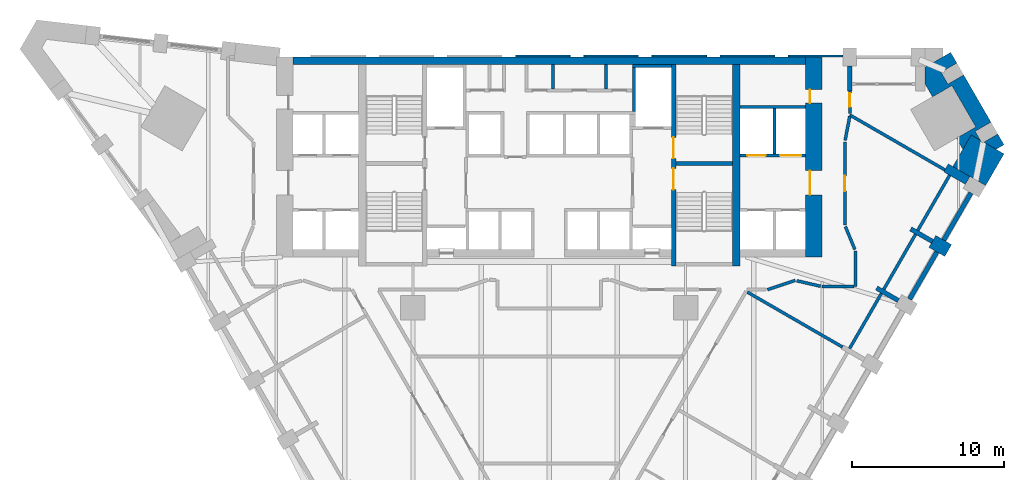
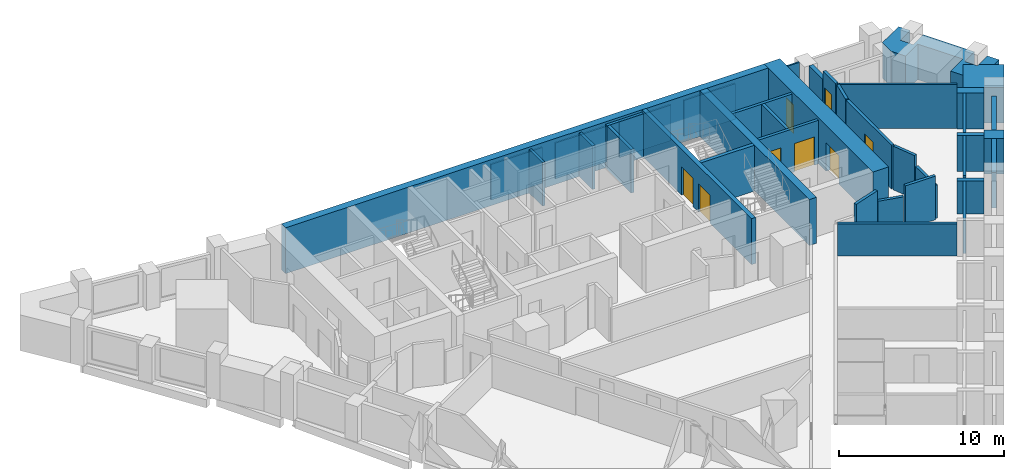
# One storey, part 8 of 10: 40 walls, 8 doors, 8 openings.
"""IFC4 building model written with IfcOpenShell, lengths in metres."""

from ifc_helpers import new_model, si_unit, direction, frame, frame_2d, origin, place, context, subcontext, project, spatial, polyline, rectangle, outline, extrude, material, layer, layer_set, type_object, element, fill, save


model = new_model("IFC4")

# Units and contexts
model_context = context("Model", 3, precision=1e-05, world=origin(), true_north=direction((0.0, 1.0)))
body_context = subcontext(model_context, "Body", "Model", "MODEL_VIEW")
ifc_project = project(units=[si_unit("LENGTHUNIT", "METRE"), si_unit("AREAUNIT", "SQUARE_METRE"), si_unit("VOLUMEUNIT", "CUBIC_METRE"), si_unit("PLANEANGLEUNIT", "RADIAN"), si_unit("MASSUNIT", "GRAM", prefix="KILO")], contexts=[model_context])

# Site, building, storey
site_placement = place(None, origin())
site = spatial("IfcSite", under=ifc_project, at=site_placement, CompositionType="ELEMENT")
building_placement = place(site_placement, origin())
building = spatial("IfcBuilding", under=site, at=building_placement, Name="Calabash Gate Tower", CompositionType="ELEMENT")
storey_placement = place(building_placement, frame((0.0, 0.0, 69.800048828125)))
storey = spatial("IfcBuildingStorey", under=building, at=storey_placement, Name="L13", CompositionType="ELEMENT", Elevation=69.800048828125)

# Walls
ifc_material_1 = material(Name="Terracotta brick masonry, exposed face", Category="masonry")
ifc_layer_1 = layer(ifc_material_1, 2.5)
ifc_layer_set_1 = layer_set([ifc_layer_1], Name="Brick corner mass wall 2500")
wall_type_1 = type_object("IfcWallType", Name="Brick corner mass wall 2500", PredefinedType="SOLIDWALL", material=ifc_layer_set_1)
wall_1_placement = place(storey_placement, origin())
element("IfcWall", 1, at=wall_1_placement, inside=storey, type_object=wall_type_1, Name="Brick corner pier S03 3a", PredefinedType="SOLIDWALL", context=body_context, shape_type="SweptSolid", body=[
    extrude(outline(polyline([(30.000732421875, 12.657958984375), (28.662353515625, 13.4306640625), (28.552490234375, 13.3671875), (28.442626953125, 13.5576171875), (27.835693359375, 13.907958984375), (26.6279296875, 11.815673828125), (28.79296875, 10.565673828125), (30.000732421875, 12.657958984375)])), origin(), (0.0, 0.0, 1.0), 2.6298828125),
])
wall_2_placement = place(storey_placement, origin())
element("IfcWall", 2, at=wall_2_placement, inside=storey, type_object=wall_type_1, Name="Brick corner pier S03 3ba", PredefinedType="SOLIDWALL", context=body_context, shape_type="SweptSolid", body=[
    extrude(outline(polyline([(29.481201171875, 12.957763671875), (30.000732421875, 13.2578125), (29.59130859375, 13.967041015625), (28.662353515625, 13.4306640625), (29.481201171875, 12.957763671875)])), origin(), (0.0, 0.0, 1.0), 2.6298828125),
])
wall_3_placement = place(storey_placement, origin())
element("IfcWall", 3, at=wall_3_placement, inside=storey, type_object=wall_type_1, Name="Brick corner pier S03 3bb", PredefinedType="SOLIDWALL", context=body_context, shape_type="SweptSolid", body=[
    extrude(outline(polyline([(25.852294921875, 18.043701171875), (26.891357421875, 18.6435546875), (26.482177734375, 19.3525390625), (24.77783203125, 18.36865234375), (24.77783203125, 17.30419921875), (25.2890625, 16.419189453125), (26.564453125, 17.155517578125), (28.139404296875, 14.427490234375), (26.864013671875, 13.691162109375), (27.287353515625, 12.957763671875), (27.835693359375, 13.907958984375), (28.442626953125, 13.5576171875), (28.102294921875, 14.146728515625), (29.141357421875, 14.74658203125), (27.34130859375, 17.8642578125), (26.302490234375, 17.264404296875), (25.852294921875, 18.043701171875)])), origin(), (0.0, 0.0, 1.0), 2.6298828125),
])
ifc_material_2 = material(Name="Terracotta brick masonry, exposed face", Category="masonry")
ifc_layer_2 = layer(ifc_material_2, 1.199951171875)
ifc_layer_set_2 = layer_set([ifc_layer_2], Name="Brick end wall 1200")
wall_type_2 = type_object("IfcWallType", Name="Brick end wall 1200", PredefinedType="SOLIDWALL", material=ifc_layer_set_2)
wall_4_placement = place(storey_placement, frame((25.27880859375, 6.87890625, 0.0), z_axis=(0.0, 0.0, 1.0), x_axis=(0.865955154139, -0.50012165622, 0.0)))
element("IfcWall", 4, at=wall_4_placement, inside=storey, type_object=wall_type_2, Name="Brick pier S03 SE2.9", PredefinedType="SOLIDWALL", context=body_context, shape_type="SweptSolid", body=[
    extrude(rectangle(XDim=1.199951171875, YDim=0.89990234375, at=frame_2d((0.60009765625, 0.0))), origin(), (0.0, 0.0, 1.0), 2.6298828125),
])
ifc_material_3 = material(Name="Terracotta brick masonry, exposed face", Category="masonry")
ifc_layer_3 = layer(ifc_material_3, 0.300048828125)
ifc_layer_set_3 = layer_set([ifc_layer_3], Name="Brick infill panel wall 300")
wall_type_3 = type_object("IfcWallType", Name="Brick infill panel wall 300", PredefinedType="SOLIDWALL", material=ifc_layer_set_3)
for number, where, z_axis, x_axis, name in (
    (5, (23.7734375, 3.071533203125, 0.0), (0.0, 0.0, 1.0), (0.499961193289, 0.866047807691, 0.0), "Brick panel S03 SE2.9"),
    (6, (26.0234375, 6.968505859375, 0.0), (0.0, 0.0, 1.0), (0.499961193289, 0.866047807691, 0.0), "Brick panel S03 SE2.10"),
):
    element("IfcWall", number, at=place(storey_placement, frame(where, z_axis=z_axis, x_axis=x_axis)), inside=storey, type_object=wall_type_3, Name=name, PredefinedType="SOLIDWALL", context=body_context, shape_type="SweptSolid", body=[
        extrude(rectangle(XDim=3.599853515625, YDim=0.300048828125, at=frame_2d((1.7998046875, 0.0))), origin(), (0.0, 0.0, 1.0), 2.6298828125),
    ])
ifc_material_4 = material(Name="Terracotta brick masonry, exposed face", Category="masonry")
ifc_layer_4 = layer(ifc_material_4, 0.300048828125)
ifc_layer_set_4 = layer_set([ifc_layer_4], Name="Brick loggia cheek wall 300")
wall_type_4 = type_object("IfcWallType", Name="Brick loggia cheek wall 300", PredefinedType="SOLIDWALL", material=ifc_layer_set_4)
wall_5_placement = place(storey_placement, frame((21.599853515625, 3.806884765625, 0.0), z_axis=(0.0, 0.0, 1.0), x_axis=(0.865966208357, -0.500102515474, 0.0)))
element("IfcWall", 7, at=wall_5_placement, inside=storey, type_object=wall_type_4, Name="Loggia cheek S03 SE2.8", PredefinedType="SOLIDWALL", context=body_context, shape_type="SweptSolid", body=[
    extrude(rectangle(XDim=1.649658203125, YDim=0.300048828125, at=frame_2d((0.82470703125, 0.0))), origin(), (0.0, 0.0, 1.0), 2.449951171875),
])
wall_6_placement = place(storey_placement, frame((23.849853515625, 7.703857421875, 0.0), z_axis=(0.0, 0.0, 1.0), x_axis=(0.866040211805, -0.499974350878, 0.0)))
element("IfcWall", 8, at=wall_6_placement, inside=storey, type_object=wall_type_4, Name="Loggia cheek S03 SE2.9", PredefinedType="SOLIDWALL", context=body_context, shape_type="SweptSolid", body=[
    extrude(rectangle(XDim=1.64990234375, YDim=0.300048828125, at=frame_2d((0.824951171875, 0.0))), origin(), (0.0, 0.0, 1.0), 2.64990234375),
])
wall_7_placement = place(storey_placement, frame((27.603759765625, 10.906005859375, 0.0), z_axis=(0.0, 0.0, 1.0), x_axis=(-0.866040211805, 0.499974350878, 0.0)))
element("IfcWall", 9, at=wall_7_placement, inside=storey, type_object=wall_type_4, Name="Loggia cheek S03 SE2.10", PredefinedType="SOLIDWALL", context=body_context, shape_type="SweptSolid", body=[
    extrude(rectangle(XDim=1.64990234375, YDim=0.60009765625, at=frame_2d((0.824951171875, 0.0))), origin(), (0.0, 0.0, 1.0), 2.64990234375),
])
wall_8_placement = place(storey_placement, origin())
element("IfcWall", 10, at=wall_8_placement, inside=storey, type_object=wall_type_4, Name="Loggia cheek S03 N4.1", PredefinedType="SOLIDWALL", context=body_context, shape_type="SweptSolid", body=[
    extrude(outline(polyline([(19.677978515625, 18.45263671875), (19.677978515625, 16.802490234375), (19.977783203125, 16.802490234375), (19.977783203125, 18.45263671875), (19.677978515625, 18.45263671875)])), origin(), (0.0, 0.0, 1.0), 2.64990234375),
])
ifc_material_5 = material(Name="Gypsum board on steel studs, mineral wool", Category="steel")
ifc_layer_5 = layer(ifc_material_5, 0.199951171875)
ifc_layer_set_5 = layer_set([ifc_layer_5], Name="Core partition 200 gypsum board")
wall_type_5 = type_object("IfcWallType", Name="Core partition 200 gypsum board", PredefinedType="PARTITIONING", material=ifc_layer_set_5)
for number, where, z_axis, x_axis, name in (
    (11, (0.25, 16.95263671875, 0.0), (0.0, 0.0, 1.0), (0.0, 1.0, 0.0), "Core partition"),
    (12, (3.75, 16.95263671875, 0.0), (0.0, 0.0, 1.0), (0.0, 1.0, 0.0), "Core partition"),
):
    element("IfcWall", number, at=place(storey_placement, frame(where, z_axis=z_axis, x_axis=x_axis)), inside=storey, type_object=wall_type_5, Name=name, PredefinedType="PARTITIONING", context=body_context, shape_type="SweptSolid", body=[
        extrude(rectangle(XDim=1.599853515625, YDim=0.199951171875, at=frame_2d((0.7998046875, 0.0))), origin(), (0.0, 0.0, 1.0), 3.22998046875),
    ])

# Wall, openings, doors
ifc_material_6 = material(Name="Concrete C80/95", Category="concrete")
ifc_layer_6 = layer(ifc_material_6, 1.10009765625)
ifc_layer_set_6 = layer_set([ifc_layer_6], Name="Core wall 1100 Concrete C80/95")
wall_type_6 = type_object("IfcWallType", Name="Core wall 1100 Concrete C80/95", PredefinedType="SHEAR", material=ifc_layer_set_6)
wall_9_placement = place(storey_placement, frame((17.449951171875, 5.8525390625, 0.0), z_axis=(0.0, 0.0, 1.0), x_axis=(0.0, 1.0, 0.0)))
wall_9 = element("IfcWall", 13, at=wall_9_placement, inside=storey, type_object=wall_type_6, Name="Core wall Z1-ENDE L13", PredefinedType="SHEAR", context=body_context, shape_type="SweptSolid", body=[
    extrude(rectangle(XDim=13.199951171875, YDim=1.10009765625, at=frame_2d((6.60009765625, 0.0))), origin(), (0.0, 0.0, 1.0), 3.39990234375),
])
opening_1_placement = place(wall_9_placement, frame((4.10009765625, 0.0, 0.0)))
opening_1 = element("IfcOpeningElement", 14, at=opening_1_placement, cuts=wall_9, Name="Opening H3-002", PredefinedType="OPENING", context=body_context, shape_type="SweptSolid", body=[
    extrude(rectangle(XDim=1.60009765625, YDim=2.10009765625, at=frame_2d((0.800048828125, 1.050048828125))), frame((0.0, 0.56005859375, 0.0), z_axis=(0.0, -1.0, 0.0), x_axis=(1.0, 0.0, 0.0)), (0.0, 0.0, 1.0), 1.1201171875),
])
opening_2_placement = place(wall_9_placement, frame((10.14990234375, 0.0, 0.0)))
opening_2 = element("IfcOpeningElement", 15, at=opening_2_placement, cuts=wall_9, Name="Opening H3-001", PredefinedType="OPENING", context=body_context, shape_type="SweptSolid", body=[
    extrude(rectangle(XDim=0.89990234375, YDim=2.10009765625, at=frame_2d((0.449951171875, 1.050048828125))), frame((0.0, 0.56005859375, 0.0), z_axis=(0.0, -1.0, 0.0), x_axis=(1.0, 0.0, 0.0)), (0.0, 0.0, 1.0), 1.1201171875),
])
ifc_material_7 = material(Name="Steel fire door set with fire-resisting glazing", Category="steel")
door_type_1 = type_object("IfcDoorType", Name="Double fire door D08 1600x2100 FD60", OperationType="DOUBLE_DOOR_SINGLE_SWING", PredefinedType="DOOR", material=ifc_material_7)
door_1_placement = place(opening_1_placement, origin())
door_1 = element("IfcDoor", 16, at=door_1_placement, inside=storey, type_object=door_type_1, Name="Low-rise Lift Lobby E door", OperationType="DOUBLE_DOOR_SINGLE_SWING", OverallHeight=2.10009765625, OverallWidth=1.60009765625, PredefinedType="DOOR", context=body_context, shape_type="SweptSolid", body=[
    extrude(rectangle(XDim=1.60009765625, YDim=2.10009765625, at=frame_2d((0.800048828125, 1.050048828125))), frame((0.0, 0.27490234375, 0.0), z_axis=(0.0, -1.0, 0.0), x_axis=(1.0, 0.0, 0.0)), (0.0, 0.0, 1.0), 0.050048828125),
])
fill(opening_1, door_1)
ifc_material_8 = material(Name="Steel fire door set with fire-resisting glazing", Category="steel")
door_type_2 = type_object("IfcDoorType", Name="Fire door D06 900x2100 FD60", OperationType="NOTDEFINED", PredefinedType="DOOR", material=ifc_material_8)
door_2_placement = place(opening_2_placement, origin())
door_2 = element("IfcDoor", 17, at=door_2_placement, inside=storey, type_object=door_type_2, Name="Hotel Pantry door", OperationType="SINGLE_SWING_LEFT", OverallHeight=2.10009765625, OverallWidth=0.89990234375, PredefinedType="DOOR", context=body_context, shape_type="SweptSolid", body=[
    extrude(rectangle(XDim=0.89990234375, YDim=2.10009765625, at=frame_2d((0.449951171875, 1.050048828125))), frame((0.0, 0.27490234375, 0.0), z_axis=(0.0, -1.0, 0.0), x_axis=(1.0, 0.0, 0.0)), (0.0, 0.0, 1.0), 0.050048828125),
])
fill(opening_2, door_2)

# Wall
ifc_material_9 = material(Name="Concrete C80/95", Category="concrete")
ifc_layer_7 = layer(ifc_material_9, 0.25)
ifc_layer_set_7 = layer_set([ifc_layer_7], Name="Core wall 250 Concrete C80/95")
wall_type_7 = type_object("IfcWallType", Name="Core wall 250 Concrete C80/95", PredefinedType="SHEAR", material=ifc_layer_set_7)
wall_10_placement = place(storey_placement, frame((8.35009765625, 12.027587890625, 0.0), z_axis=(0.0, 0.0, 1.0), x_axis=(1.0, 0.0, 0.0)))
element("IfcWall", 18, at=wall_10_placement, inside=storey, type_object=wall_type_7, Name="Core wall Z1-MIDE L13", PredefinedType="SHEAR", context=body_context, shape_type="SweptSolid", body=[
    extrude(rectangle(XDim=3.75, YDim=0.25, at=frame_2d((1.875, 0.0))), origin(), (0.0, 0.0, 1.0), 3.39990234375),
])

# Wall, openings, doors
ifc_material_10 = material(Name="Concrete C80/95", Category="concrete")
ifc_layer_8 = layer(ifc_material_10, 0.300048828125)
ifc_layer_set_8 = layer_set([ifc_layer_8], Name="Core wall 300 Concrete C80/95")
wall_type_8 = type_object("IfcWallType", Name="Core wall 300 Concrete C80/95", PredefinedType="SHEAR", material=ifc_layer_set_8)
wall_11_placement = place(storey_placement, frame((8.199951171875, 5.252685546875, 0.0), z_axis=(0.0, 0.0, 1.0), x_axis=(0.0, 1.0, 0.0)))
wall_11 = element("IfcWall", 19, at=wall_11_placement, inside=storey, type_object=wall_type_8, Name="Core wall Z1-PARTE L13", PredefinedType="SHEAR", context=body_context, shape_type="SweptSolid", body=[
    extrude(rectangle(XDim=13.2998046875, YDim=0.300048828125, at=frame_2d((6.64990234375, 0.0))), origin(), (0.0, 0.0, 1.0), 3.39990234375),
])
opening_3_placement = place(wall_11_placement, frame((7.10009765625, 0.0, 0.0)))
opening_3 = element("IfcOpeningElement", 20, at=opening_3_placement, cuts=wall_11, Name="Opening H3-017", PredefinedType="OPENING", context=body_context, shape_type="SweptSolid", body=[
    extrude(rectangle(XDim=1.39990234375, YDim=2.10009765625, at=frame_2d((0.699951171875, 1.050048828125))), frame((0.0, 0.159912109375, 0.0), z_axis=(0.0, -1.0, 0.0), x_axis=(1.0, 0.0, 0.0)), (0.0, 0.0, 1.0), 0.320068359375),
])
opening_4_placement = place(wall_11_placement, frame((5.050048828125, 0.0, 0.0)))
opening_4 = element("IfcOpeningElement", 21, at=opening_4_placement, cuts=wall_11, Name="Opening H3-018", PredefinedType="OPENING", context=body_context, shape_type="SweptSolid", body=[
    extrude(rectangle(XDim=1.39990234375, YDim=2.10009765625, at=frame_2d((0.699951171875, 1.050048828125))), frame((0.0, 0.159912109375, 0.0), z_axis=(0.0, -1.0, 0.0), x_axis=(1.0, 0.0, 0.0)), (0.0, 0.0, 1.0), 0.320068359375),
])
ifc_material_11 = material(Name="Steel fire door set with fire-resisting glazing", Category="steel")
door_type_3 = type_object("IfcDoorType", Name="Fire door D05 1400x2100 FD90", OperationType="NOTDEFINED", PredefinedType="DOOR", material=ifc_material_11)
door_3_placement = place(opening_3_placement, origin())
door_3 = element("IfcDoor", 22, at=door_3_placement, inside=storey, type_object=door_type_3, Name="Exit stair door ST3", OperationType="SINGLE_SWING_RIGHT", OverallHeight=2.10009765625, OverallWidth=1.39990234375, PredefinedType="DOOR", context=body_context, shape_type="SweptSolid", body=[
    extrude(rectangle(XDim=1.39990234375, YDim=2.10009765625, at=frame_2d((0.699951171875, 1.050048828125))), frame((0.0, 0.02490234375, 0.0), z_axis=(0.0, -1.0, 0.0), x_axis=(1.0, 0.0, 0.0)), (0.0, 0.0, 1.0), 0.050048828125),
])
fill(opening_3, door_3)
door_4_placement = place(opening_4_placement, origin())
door_4 = element("IfcDoor", 23, at=door_4_placement, inside=storey, type_object=door_type_3, Name="Exit stair door ST4", OperationType="SINGLE_SWING_LEFT", OverallHeight=2.10009765625, OverallWidth=1.39990234375, PredefinedType="DOOR", context=body_context, shape_type="SweptSolid", body=[
    extrude(rectangle(XDim=1.39990234375, YDim=2.10009765625, at=frame_2d((0.699951171875, 1.050048828125))), frame((0.0, 0.02490234375, 0.0), z_axis=(0.0, -1.0, 0.0), x_axis=(1.0, 0.0, 0.0)), (0.0, 0.0, 1.0), 0.050048828125),
])
fill(opening_4, door_4)

# Walls
ifc_material_12 = material(Name="Concrete C80/95", Category="concrete")
ifc_layer_9 = layer(ifc_material_12, 0.5)
ifc_layer_set_9 = layer_set([ifc_layer_9], Name="Core wall 500 Concrete C80/95")
wall_type_9 = type_object("IfcWallType", Name="Core wall 500 Concrete C80/95", PredefinedType="SHEAR", material=ifc_layer_set_9)
wall_12_placement = place(storey_placement, frame((-16.89990234375, 18.802490234375, 0.0), z_axis=(0.0, 0.0, 1.0), x_axis=(1.0, 0.0, 0.0)))
element("IfcWall", 24, at=wall_12_placement, inside=storey, type_object=wall_type_9, Name="Core wall Z1-N L13", PredefinedType="SHEAR", context=body_context, shape_type="SweptSolid", body=[
    extrude(rectangle(XDim=33.7998046875, YDim=0.5, at=frame_2d((16.89990234375, 0.0))), origin(), (0.0, 0.0, 1.0), 3.39990234375),
])
wall_13_placement = place(storey_placement, frame((12.35009765625, 5.252685546875, 0.0), z_axis=(0.0, 0.0, 1.0), x_axis=(0.0, 1.0, 0.0)))
element("IfcWall", 25, at=wall_13_placement, inside=storey, type_object=wall_type_9, Name="Core wall Z1-COLE L13", PredefinedType="SHEAR", context=body_context, shape_type="SweptSolid", body=[
    extrude(rectangle(XDim=13.2998046875, YDim=0.5, at=frame_2d((6.64990234375, 0.0))), origin(), (0.0, 0.0, 1.0), 3.39990234375),
])
ifc_material_13 = material(Name="Gypsum board on steel studs, mineral wool", Category="steel")
ifc_layer_10 = layer(ifc_material_13, 0.199951171875)
ifc_layer_set_10 = layer_set([ifc_layer_10], Name="Partition 200 gypsum board EI 60")
wall_type_10 = type_object("IfcWallType", Name="Partition 200 gypsum board EI 60", PredefinedType="PARTITIONING", material=ifc_layer_set_10)
wall_14_placement = place(storey_placement, frame((13.072509765625, 3.5361328125, 0.0), z_axis=(0.0, 0.0, 1.0), x_axis=(0.865929252606, -0.500166501758, 0.0)))
element("IfcWall", 26, at=wall_14_placement, inside=storey, type_object=wall_type_10, Name="Partition", PredefinedType="PARTITIONING", context=body_context, shape_type="SweptSolid", body=[
    extrude(rectangle(XDim=7.24951171875, YDim=0.199951171875, at=frame_2d((3.624755859375, 0.0))), origin(), (0.0, 0.0, 1.0), 2.384033203125),
])
wall_15_placement = place(storey_placement, frame((18.0, 3.8994140625, 0.0), z_axis=(0.0, 0.0, 1.0), x_axis=(0.999999972977, 0.000232477037, 0.0)))
element("IfcWall", 27, at=wall_15_placement, inside=storey, type_object=wall_type_10, Name="Partition", PredefinedType="PARTITIONING", context=body_context, shape_type="SweptSolid", body=[
    extrude(rectangle(XDim=2.100341796875, YDim=0.199951171875, at=frame_2d((1.05029296875, 0.0))), origin(), (0.0, 0.0, 1.0), 3.22998046875),
])
wall_16_placement = place(storey_placement, frame((16.325927734375, 4.28662109375, 0.0), z_axis=(0.0, 0.0, 1.0), x_axis=(0.974302124523, -0.225245133464, 0.0)))
element("IfcWall", 28, at=wall_16_placement, inside=storey, type_object=wall_type_10, Name="Partition", PredefinedType="PARTITIONING", context=body_context, shape_type="SweptSolid", body=[
    extrude(rectangle(XDim=1.6181640625, YDim=0.199951171875, at=frame_2d((0.80908203125, 0.0))), origin(), (0.0, 0.0, 1.0), 2.449951171875),
])
wall_17_placement = place(storey_placement, frame((14.400146484375, 3.699462890625, 0.0), z_axis=(0.0, 0.0, 1.0), x_axis=(0.948657960303, 0.316303769112, 0.0)))
element("IfcWall", 29, at=wall_17_placement, inside=storey, type_object=wall_type_10, Name="Partition", PredefinedType="PARTITIONING", context=body_context, shape_type="SweptSolid", body=[
    extrude(rectangle(XDim=1.92724609375, YDim=0.199951171875, at=frame_2d((0.963623046875, 0.0))), origin(), (0.0, 0.0, 1.0), 3.22998046875),
])
wall_18_placement = place(storey_placement, frame((20.200439453125, 3.89990234375, 0.0), z_axis=(0.0, 0.0, 1.0), x_axis=(0.0, 1.0, 0.0)))
element("IfcWall", 30, at=wall_18_placement, inside=storey, type_object=wall_type_10, Name="Partition", PredefinedType="PARTITIONING", context=body_context, shape_type="SweptSolid", body=[
    extrude(rectangle(XDim=2.352783203125, YDim=0.199951171875, at=frame_2d((1.17626953125, 0.0))), origin(), (0.0, 0.0, 1.0), 2.449951171875),
])
wall_19_placement = place(storey_placement, frame((19.53857421875, 7.860107421875, 0.0), z_axis=(0.0, 0.0, 1.0), x_axis=(0.380749805254, -0.924678098475, 0.0)))
element("IfcWall", 31, at=wall_19_placement, inside=storey, type_object=wall_type_10, Name="Partition", PredefinedType="PARTITIONING", context=body_context, shape_type="SweptSolid", body=[
    extrude(rectangle(XDim=1.63818359375, YDim=0.199951171875, at=frame_2d((0.819091796875, 0.0))), origin(), (0.0, 0.0, 1.0), 3.22998046875),
])

# Wall, opening, door
wall_20_placement = place(storey_placement, frame((19.50048828125, 7.95263671875, 0.0), z_axis=(0.0, 0.0, 1.0), x_axis=(0.0, 1.0, 0.0)))
wall_20 = element("IfcWall", 32, at=wall_20_placement, inside=storey, type_object=wall_type_10, Name="Partition", PredefinedType="PARTITIONING", context=body_context, shape_type="SweptSolid", body=[
    extrude(rectangle(XDim=5.499755859375, YDim=0.199951171875, at=frame_2d((2.75, 0.0))), origin(), (0.0, 0.0, 1.0), 3.22998046875),
])
opening_5_placement = place(wall_20_placement, frame((2.25, 0.0, 0.0)))
opening_5 = element("IfcOpeningElement", 33, at=opening_5_placement, cuts=wall_20, Name="Opening 12-14-022", PredefinedType="OPENING", context=body_context, shape_type="SweptSolid", body=[
    extrude(rectangle(XDim=1.0, YDim=2.10009765625, at=frame_2d((0.5, 1.050048828125))), frame((0.0, 0.10986328125, 0.0), z_axis=(0.0, -1.0, 0.0), x_axis=(1.0, 0.0, 0.0)), (0.0, 0.0, 1.0), 0.219970703125),
])
ifc_material_14 = material(Name="Steel fire door set with fire-resisting glazing", Category="steel")
door_type_4 = type_object("IfcDoorType", Name="LD2 Meeting room door 1000x2100", OperationType="NOTDEFINED", PredefinedType="DOOR", material=ifc_material_14)
door_5_placement = place(opening_5_placement, origin())
door_5 = element("IfcDoor", 34, at=door_5_placement, inside=storey, type_object=door_type_4, Name="Meeting room door", OperationType="SINGLE_SWING_RIGHT", OverallHeight=2.10009765625, OverallWidth=1.0, PredefinedType="DOOR", context=body_context, shape_type="SweptSolid", body=[
    extrude(rectangle(XDim=1.0, YDim=2.10009765625, at=frame_2d((0.5, 1.050048828125))), frame((0.0, 0.02490234375, 0.0), z_axis=(0.0, -1.0, 0.0), x_axis=(1.0, 0.0, 0.0)), (0.0, 0.0, 1.0), 0.050048828125),
])
fill(opening_5, door_5)

# Walls
wall_21_placement = place(storey_placement, frame((19.519287109375, 13.55078125, 0.0), z_axis=(0.0, 0.0, 1.0), x_axis=(0.18946348331, 0.981887767768, 0.0)))
element("IfcWall", 35, at=wall_21_placement, inside=storey, type_object=wall_type_10, Name="Partition", PredefinedType="PARTITIONING", context=body_context, shape_type="SweptSolid", body=[
    extrude(rectangle(XDim=1.63134765625, YDim=0.199951171875, at=frame_2d((0.815673828125, 0.0))), origin(), (0.0, 0.0, 1.0), 3.22998046875),
])
wall_22_placement = place(storey_placement, frame((19.82861328125, 15.223876953125, 0.0), z_axis=(0.0, 0.0, 1.0), x_axis=(0.865914392541, -0.50019222784, 0.0)))
element("IfcWall", 36, at=wall_22_placement, inside=storey, type_object=wall_type_10, Name="Partition", PredefinedType="PARTITIONING", context=body_context, shape_type="SweptSolid", body=[
    extrude(rectangle(XDim=7.242431640625, YDim=0.199951171875, at=frame_2d((3.62109375, 0.0))), origin(), (0.0, 0.0, 1.0), 3.22998046875),
])

# Wall, opening, door
wall_23_placement = place(storey_placement, frame((19.828369140625, 16.802490234375, 0.0), z_axis=(0.0, 0.0, 1.0), x_axis=(0.000988793188, -0.999999511144, 0.0)))
wall_23 = element("IfcWall", 37, at=wall_23_placement, inside=storey, type_object=wall_type_10, Name="Partition", PredefinedType="PARTITIONING", context=body_context, shape_type="SweptSolid", body=[
    extrude(rectangle(XDim=1.4814453125, YDim=0.199951171875, at=frame_2d((0.74072265625, 0.0))), origin(), (0.0, 0.0, 1.0), 3.22998046875),
])
opening_6_placement = place(wall_23_placement, frame((0.140380859375, 0.0, 0.0)))
opening_6 = element("IfcOpeningElement", 38, at=opening_6_placement, cuts=wall_23, Name="Opening 12-14-023", PredefinedType="OPENING", context=body_context, shape_type="SweptSolid", body=[
    extrude(rectangle(XDim=0.89990234375, YDim=2.10009765625, at=frame_2d((0.449951171875, 1.050048828125))), frame((0.0, 0.10986328125, 0.0), z_axis=(0.0, -1.0, 0.0), x_axis=(1.0, 0.0, 0.0)), (0.0, 0.0, 1.0), 0.219970703125),
])
ifc_material_15 = material(Name="Steel fire door set with fire-resisting glazing", Category="steel")
door_type_5 = type_object("IfcDoorType", Name="SD3 Store door 900x2100", OperationType="NOTDEFINED", PredefinedType="DOOR", material=ifc_material_15)
door_6_placement = place(opening_6_placement, origin())
door_6 = element("IfcDoor", 39, at=door_6_placement, inside=storey, type_object=door_type_5, Name="Store door", OperationType="SINGLE_SWING_LEFT", OverallHeight=2.10009765625, OverallWidth=0.89990234375, PredefinedType="DOOR", context=body_context, shape_type="SweptSolid", body=[
    extrude(rectangle(XDim=0.89990234375, YDim=2.10009765625, at=frame_2d((0.449951171875, 1.050048828125))), frame((0.0, 0.02490234375, 0.0), z_axis=(0.0, -1.0, 0.0), x_axis=(1.0, 0.0, 0.0)), (0.0, 0.0, 1.0), 0.050048828125),
])
fill(opening_6, door_6)

# Wall, openings, doors
ifc_material_16 = material(Name="Concrete C40/50", Category="concrete")
ifc_layer_11 = layer(ifc_material_16, 0.199951171875)
ifc_layer_set_11 = layer_set([ifc_layer_11], Name="Shaft wall 200 Concrete C40/50")
wall_type_11 = type_object("IfcWallType", Name="Shaft wall 200 Concrete C40/50", PredefinedType="SOLIDWALL", material=ifc_layer_set_11)
wall_24_placement = place(storey_placement, frame((12.60009765625, 12.552490234375, 0.0), z_axis=(0.0, 0.0, 1.0), x_axis=(1.0, 0.0, 0.0)))
wall_24 = element("IfcWall", 40, at=wall_24_placement, inside=storey, type_object=wall_type_11, Name="Shaft wall", PredefinedType="SOLIDWALL", context=body_context, shape_type="SweptSolid", body=[
    extrude(rectangle(XDim=4.2998046875, YDim=0.199951171875, at=frame_2d((2.14990234375, 0.0))), origin(), (0.0, 0.0, 1.0), 3.22998046875),
])
opening_7_placement = place(wall_24_placement, frame((0.47509765625, 0.0, 0.0)))
opening_7 = element("IfcOpeningElement", 41, at=opening_7_placement, cuts=wall_24, Name="Opening LD-SL1", PredefinedType="OPENING", context=body_context, shape_type="SweptSolid", body=[
    extrude(rectangle(XDim=1.199951171875, YDim=2.10009765625, at=frame_2d((0.60009765625, 1.050048828125))), frame((0.0, 0.10986328125, 0.0), z_axis=(0.0, -1.0, 0.0), x_axis=(1.0, 0.0, 0.0)), (0.0, 0.0, 1.0), 0.219970703125),
])
opening_8_placement = place(wall_24_placement, frame((2.625, 0.0, 0.0)))
opening_8 = element("IfcOpeningElement", 42, at=opening_8_placement, cuts=wall_24, Name="Opening LD-GL1", PredefinedType="OPENING", context=body_context, shape_type="SweptSolid", body=[
    extrude(rectangle(XDim=1.39990234375, YDim=2.10009765625, at=frame_2d((0.699951171875, 1.050048828125))), frame((0.0, 0.10986328125, 0.0), z_axis=(0.0, -1.0, 0.0), x_axis=(1.0, 0.0, 0.0)), (0.0, 0.0, 1.0), 0.219970703125),
])
ifc_material_17 = material(Name="Stainless steel sliding door leaves", Category="steel")
door_type_6 = type_object("IfcDoorType", Name="Lift landing door LS3 1200x2100 FD90", OperationType="DOUBLE_DOOR_SLIDING", PredefinedType="DOOR", material=ifc_material_17)
door_7_placement = place(opening_7_placement, origin())
door_7 = element("IfcDoor", 43, at=door_7_placement, inside=storey, type_object=door_type_6, Name="Lift landing door SL1", OperationType="DOUBLE_DOOR_SLIDING", OverallHeight=2.10009765625, OverallWidth=1.199951171875, PredefinedType="DOOR", context=body_context, shape_type="SweptSolid", body=[
    extrude(rectangle(XDim=1.199951171875, YDim=2.10009765625, at=frame_2d((0.60009765625, 1.050048828125))), frame((0.0, 0.02490234375, 0.0), z_axis=(0.0, -1.0, 0.0), x_axis=(1.0, 0.0, 0.0)), (0.0, 0.0, 1.0), 0.050048828125),
])
fill(opening_7, door_7)
ifc_material_18 = material(Name="Stainless steel sliding door leaves", Category="steel")
door_type_7 = type_object("IfcDoorType", Name="Lift landing door LS4 1400x2100 FD90", OperationType="DOUBLE_DOOR_SLIDING", PredefinedType="DOOR", material=ifc_material_18)
door_8_placement = place(opening_8_placement, origin())
door_8 = element("IfcDoor", 44, at=door_8_placement, inside=storey, type_object=door_type_7, Name="Lift landing door GL1", OperationType="DOUBLE_DOOR_SLIDING", OverallHeight=2.10009765625, OverallWidth=1.39990234375, PredefinedType="DOOR", context=body_context, shape_type="SweptSolid", body=[
    extrude(rectangle(XDim=1.39990234375, YDim=2.10009765625, at=frame_2d((0.699951171875, 1.050048828125))), frame((0.0, 0.02490234375, 0.0), z_axis=(0.0, -1.0, 0.0), x_axis=(1.0, 0.0, 0.0)), (0.0, 0.0, 1.0), 0.050048828125),
])
fill(opening_8, door_8)

# Walls
wall_25_placement = place(storey_placement, frame((14.85009765625, 12.652587890625, 0.0), z_axis=(0.0, 0.0, 1.0), x_axis=(0.0, 1.0, 0.0)))
element("IfcWall", 45, at=wall_25_placement, inside=storey, type_object=wall_type_11, Name="Shaft wall", PredefinedType="SOLIDWALL", context=body_context, shape_type="SweptSolid", body=[
    extrude(rectangle(XDim=3.0, YDim=0.199951171875, at=frame_2d((1.5, 0.0))), origin(), (0.0, 0.0, 1.0), 3.22998046875),
])
wall_26_placement = place(storey_placement, frame((5.60009765625, 15.45263671875, 0.0), z_axis=(0.0, 0.0, 1.0), x_axis=(0.0, 1.0, 0.0)))
element("IfcWall", 46, at=wall_26_placement, inside=storey, type_object=wall_type_11, Name="Shaft wall", PredefinedType="SOLIDWALL", context=body_context, shape_type="SweptSolid", body=[
    extrude(rectangle(XDim=2.89990234375, YDim=0.199951171875, at=frame_2d((1.449951171875, 0.0))), origin(), (0.0, 0.0, 1.0), 3.22998046875),
])
wall_27_placement = place(storey_placement, frame((12.60009765625, 15.752685546875, 0.0), z_axis=(0.0, 0.0, 1.0), x_axis=(1.0, 0.0, 0.0)))
element("IfcWall", 47, at=wall_27_placement, inside=storey, type_object=wall_type_11, Name="Shaft wall", PredefinedType="SOLIDWALL", context=body_context, shape_type="SweptSolid", body=[
    extrude(rectangle(XDim=4.2998046875, YDim=0.199951171875, at=frame_2d((2.14990234375, 0.0))), origin(), (0.0, 0.0, 1.0), 3.22998046875),
])
wall_28_placement = place(storey_placement, frame((5.5, 18.45263671875, 0.0), z_axis=(0.0, 0.0, 1.0), x_axis=(1.0, 0.0, 0.0)))
element("IfcWall", 48, at=wall_28_placement, inside=storey, type_object=wall_type_11, Name="Shaft wall", PredefinedType="SOLIDWALL", context=body_context, shape_type="SweptSolid", body=[
    extrude(rectangle(XDim=2.550048828125, YDim=0.199951171875, at=frame_2d((1.27490234375, 0.0))), origin(), (0.0, 0.0, 1.0), 3.22998046875),
])
ifc_material_19 = material(Name="Terracotta brick masonry, perforated", Category="masonry")
ifc_layer_12 = layer(ifc_material_19, 0.1201171875)
ifc_layer_set_12 = layer_set([ifc_layer_12], Name="Terracotta jaali cladding A 120")
wall_type_12 = type_object("IfcWallType", Name="Terracotta jaali cladding A 120", PredefinedType="SOLIDWALL", material=ifc_layer_set_12)
wall_29_placement = place(storey_placement, origin())
element("IfcWall", 49, at=wall_29_placement, inside=storey, type_object=wall_type_12, Name="Jaali cladding S03 N4.3", PredefinedType="SOLIDWALL", context=body_context, shape_type="SweptSolid", body=[
    extrude(outline(polyline([(11.27783203125, 19.172607421875), (11.27783203125, 19.052490234375), (14.8779296875, 19.052490234375), (14.8779296875, 19.172607421875), (11.27783203125, 19.172607421875)])), origin(), (0.0, 0.0, 1.0), 2.64990234375),
])
wall_30_placement = place(storey_placement, origin())
element("IfcWall", 50, at=wall_30_placement, inside=storey, type_object=wall_type_12, Name="Jaali cladding S03 N4.5", PredefinedType="SOLIDWALL", context=body_context, shape_type="SweptSolid", body=[
    extrude(outline(polyline([(2.27783203125, 19.172607421875), (2.27783203125, 19.052490234375), (5.8779296875, 19.052490234375), (5.8779296875, 19.172607421875), (2.27783203125, 19.172607421875)])), origin(), (0.0, 0.0, 1.0), 2.64990234375),
])
ifc_material_20 = material(Name="Terracotta louvre blades in an aluminium frame", Category="masonry")
ifc_layer_13 = layer(ifc_material_20, 0.1201171875)
ifc_layer_set_13 = layer_set([ifc_layer_13], Name="Terracotta vent louvre cladding 120")
wall_type_13 = type_object("IfcWallType", Name="Terracotta vent louvre cladding 120", PredefinedType="ELEMENTEDWALL", material=ifc_layer_set_13)
wall_31_placement = place(storey_placement, origin())
element("IfcWall", 51, at=wall_31_placement, inside=storey, type_object=wall_type_13, Name="Vent louvre cladding S03 N4.2", PredefinedType="ELEMENTEDWALL", context=body_context, shape_type="SweptSolid", body=[
    extrude(outline(polyline([(15.77783203125, 19.172607421875), (15.77783203125, 19.052490234375), (19.37744140625, 19.052490234375), (19.37744140625, 19.172607421875), (15.77783203125, 19.172607421875)])), origin(), (0.0, 0.0, 1.0), 2.64990234375),
])
wall_32_placement = place(storey_placement, origin())
element("IfcWall", 52, at=wall_32_placement, inside=storey, type_object=wall_type_13, Name="Vent louvre cladding S03 N4.4", PredefinedType="ELEMENTEDWALL", context=body_context, shape_type="SweptSolid", body=[
    extrude(outline(polyline([(6.77783203125, 19.172607421875), (6.77783203125, 19.052490234375), (10.3779296875, 19.052490234375), (10.3779296875, 19.172607421875), (6.77783203125, 19.172607421875)])), origin(), (0.0, 0.0, 1.0), 2.64990234375),
])
wall_33_placement = place(storey_placement, origin())
element("IfcWall", 53, at=wall_33_placement, inside=storey, type_object=wall_type_13, Name="Vent louvre cladding S03 N4.6", PredefinedType="ELEMENTEDWALL", context=body_context, shape_type="SweptSolid", body=[
    extrude(outline(polyline([(-2.22216796875, 19.172607421875), (-2.22216796875, 19.052490234375), (1.3779296875, 19.052490234375), (1.3779296875, 19.172607421875), (-2.22216796875, 19.172607421875)])), origin(), (0.0, 0.0, 1.0), 2.64990234375),
])
ifc_material_21 = material(Name="Aluminium framed window wall with insulated spandrel", Category="aluminium")
ifc_layer_14 = layer(ifc_material_21, 0.199951171875)
ifc_layer_set_14 = layer_set([ifc_layer_14], Name="Window wall 200")
wall_type_14 = type_object("IfcWallType", Name="Window wall 200", PredefinedType="ELEMENTEDWALL", material=ifc_layer_set_14)
wall_34_placement = place(storey_placement, frame((19.814453125, -0.185546875, 0.0), z_axis=(0.0, 0.0, 1.0), x_axis=(0.500002543286, 0.866023935413, 0.0)))
element("IfcWall", 54, at=wall_34_placement, inside=storey, type_object=wall_type_14, Name="Window wall S03 SE2.8", PredefinedType="ELEMENTEDWALL", context=body_context, shape_type="SweptSolid", body=[
    extrude(rectangle(XDim=4.2001953125, YDim=0.199951171875, at=frame_2d((2.10009765625, 0.0))), origin(), (0.0, 0.0, 1.0), 2.449951171875),
])
for number, where, z_axis, x_axis, name in (
    (55, (22.064453125, 3.711669921875, 0.0), (0.0, 0.0, 1.0), (0.500027713859, 0.866009402589, 0.0), "Window wall S03 SE2.9"),
    (56, (24.314453125, 7.60888671875, 0.0), (0.0, 0.0, 1.0), (0.500027713859, 0.866009402589, 0.0), "Window wall S03 SE2.10"),
):
    element("IfcWall", number, at=place(storey_placement, frame(where, z_axis=z_axis, x_axis=x_axis)), inside=storey, type_object=wall_type_14, Name=name, PredefinedType="ELEMENTEDWALL", context=body_context, shape_type="SweptSolid", body=[
        extrude(rectangle(XDim=4.199951171875, YDim=0.199951171875, at=frame_2d((2.10009765625, 0.0))), origin(), (0.0, 0.0, 1.0), 2.64990234375),
    ])

save(model, "model.ifc")
